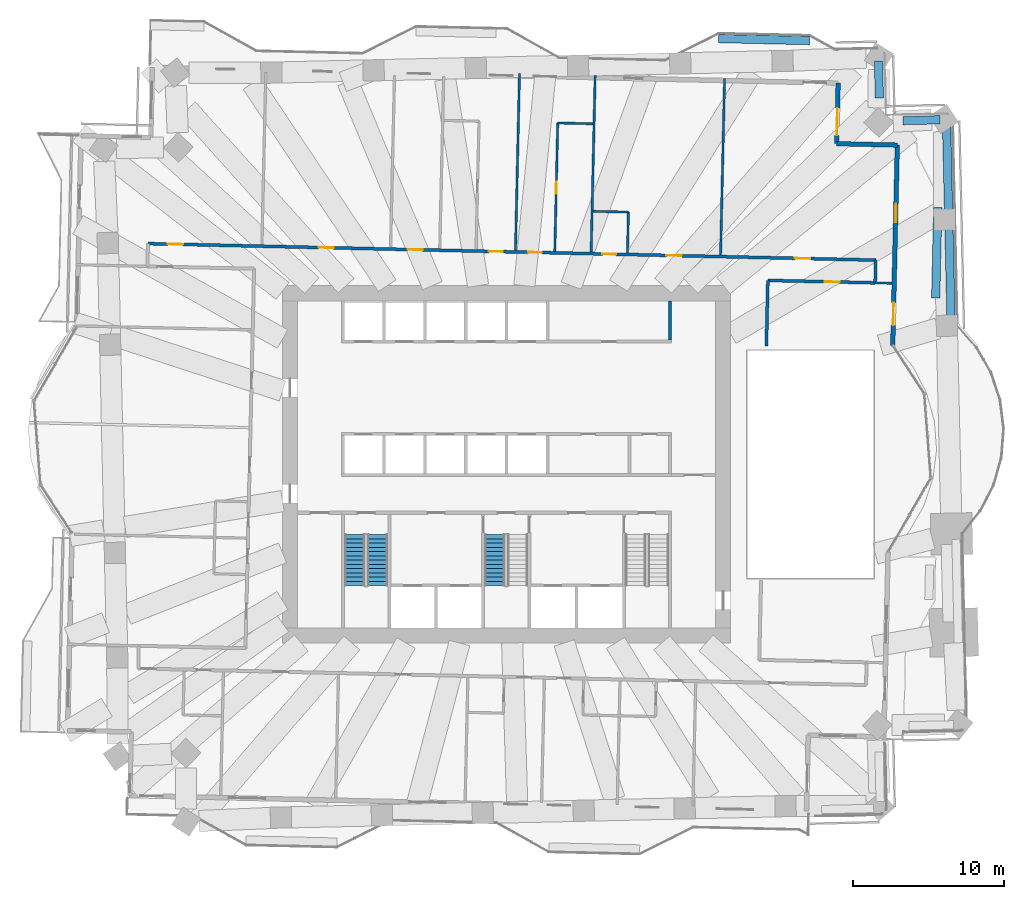
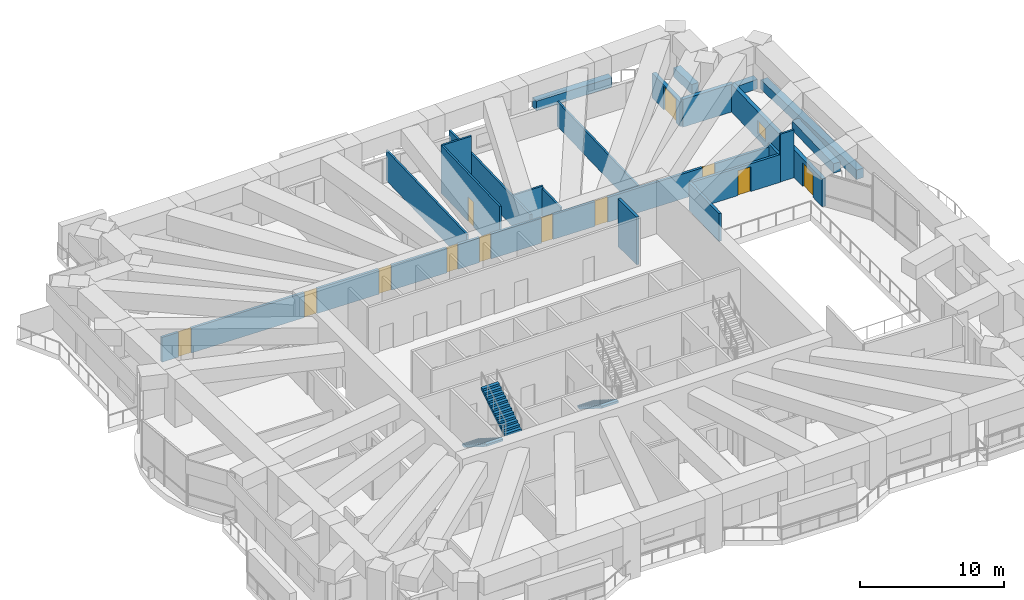
# One storey, part 14 of 20: 21 walls, 12 doors, 3 stair flights, 1 window, 13 openings, 2 elements without a shape of their own.
"""IFC4 building model written with IfcOpenShell, lengths in metres."""

from ifc_helpers import new_model, si_unit, direction, frame, frame_2d, origin, place, context, subcontext, project, spatial, polyline, rectangle, outline, extrude, material, layer, layer_set, type_object, element, fill, aggregate, save


model = new_model("IFC4")

# Units and contexts
model_context = context("Model", 3, precision=1e-05, world=origin(), true_north=direction((0.0, 1.0)))
body_context = subcontext(model_context, "Body", "Model", "MODEL_VIEW")
ifc_project = project(units=[si_unit("LENGTHUNIT", "METRE"), si_unit("AREAUNIT", "SQUARE_METRE"), si_unit("VOLUMEUNIT", "CUBIC_METRE"), si_unit("PLANEANGLEUNIT", "RADIAN"), si_unit("MASSUNIT", "GRAM", prefix="KILO")], contexts=[model_context])

# Site, building, storey
site_placement = place(None, origin())
site = spatial("IfcSite", under=ifc_project, at=site_placement, CompositionType="ELEMENT")
building_placement = place(site_placement, origin())
building = spatial("IfcBuilding", under=site, at=building_placement, Name="Mangrove Gate Tower", CompositionType="ELEMENT")
storey_placement = place(building_placement, frame((0.0, 0.0, 97.300048828125)))
storey = spatial("IfcBuildingStorey", under=building, at=storey_placement, Name="L24", CompositionType="ELEMENT", Elevation=97.300048828125)

# Walls
ifc_material_1 = material(Name="Concrete C32/40", Category="concrete")
ifc_layer_1 = layer(ifc_material_1, 0.199951171875)
ifc_layer_set_1 = layer_set([ifc_layer_1], Name="Core room wall 200 C32/40")
wall_type_1 = type_object("IfcWallType", Name="Core room wall 200 C32/40", PredefinedType="STANDARD", material=ifc_layer_set_1)
wall_1_placement = place(storey_placement, frame((10.800048828125, 8.199951171875, 0.0), z_axis=(0.0, 0.0, 1.0), x_axis=(0.0, 1.0, 0.0)))
element("IfcWall", 1, at=wall_1_placement, inside=storey, type_object=wall_type_1, Name="WALL-L24-CORE-33", PredefinedType="STANDARD", context=body_context, shape_type="SweptSolid", body=[
    extrude(rectangle(XDim=2.60009765625, YDim=0.199951171875, at=frame_2d((1.300048828125, 0.0))), origin(), (0.0, 0.0, 1.0), 4.050048828125),
])
ifc_material_2 = material(Name="Gypsum board on steel stud, EI 60", Category="steel")
ifc_layer_2 = layer(ifc_material_2, 0.199951171875)
ifc_layer_set_2 = layer_set([ifc_layer_2], Name="Corridor wall EI 60")
wall_type_2 = type_object("IfcWallType", Name="Corridor wall EI 60", PredefinedType="PARTITIONING", material=ifc_layer_set_2)
wall_2_placement = place(storey_placement, frame((17.155029296875, 7.81396484375, 0.0), z_axis=(0.0, 0.0, 1.0), x_axis=(0.022578158225, 0.999745080894, 0.0)))
element("IfcWall", 2, at=wall_2_placement, inside=storey, type_object=wall_type_2, Name="WALL-L24-028", PredefinedType="PARTITIONING", context=body_context, shape_type="SweptSolid", body=[
    extrude(rectangle(XDim=4.336181640625, YDim=0.199951171875, at=frame_2d((2.16796875, 0.0))), origin(), (0.0, 0.0, 1.0), 2.349853515625),
])

# Wall, opening, door
wall_3_placement = place(storey_placement, frame((17.248046875, 12.14501953125, 0.0), z_axis=(0.0, 0.0, 1.0), x_axis=(0.999742350192, -0.022698749566, 0.0)))
wall_3 = element("IfcWall", 3, at=wall_3_placement, inside=storey, type_object=wall_type_2, Name="WALL-L24-032", PredefinedType="PARTITIONING", context=body_context, shape_type="SweptSolid", body=[
    extrude(rectangle(XDim=7.0986328125, YDim=0.199951171875, at=frame_2d((3.54931640625, 0.0))), origin(), (0.0, 0.0, 1.0), 2.349853515625),
])
opening_1_placement = place(wall_3_placement, frame((3.75, 0.0, 0.0)))
opening_1 = element("IfcOpeningElement", 4, at=opening_1_placement, cuts=wall_3, Name="Opening AD", PredefinedType="OPENING", context=body_context, shape_type="SweptSolid", body=[
    extrude(rectangle(XDim=1.0, YDim=2.10009765625, at=frame_2d((0.5, 1.050048828125))), frame((0.0, 0.10986328125, 0.0), z_axis=(0.0, -1.0, 0.0), x_axis=(1.0, 0.0, 0.0)), (0.0, 0.0, 1.0), 0.219970703125),
])
ifc_material_3 = material(Name="Timber door leaf", Category="wood")
door_type_1 = type_object("IfcDoorType", Name="Amenity door 1000", OperationType="SINGLE_SWING_LEFT", PredefinedType="DOOR", material=ifc_material_3)
door_1_placement = place(opening_1_placement, origin())
door_1 = element("IfcDoor", 5, at=door_1_placement, inside=storey, type_object=door_type_1, Name="DOOR-L24-STU-c4a", OperationType="SINGLE_SWING_RIGHT", OverallHeight=2.10009765625, OverallWidth=1.0, PredefinedType="DOOR", context=body_context, shape_type="SweptSolid", body=[
    extrude(rectangle(XDim=1.0, YDim=2.10009765625, at=frame_2d((0.5, 1.050048828125))), frame((0.0, 0.02490234375, 0.0), z_axis=(0.0, -1.0, 0.0), x_axis=(1.0, 0.0, 0.0)), (0.0, 0.0, 1.0), 0.050048828125),
])
fill(opening_1, door_1)

# Wall
wall_4_placement = place(storey_placement, frame((24.341064453125, 11.988037109375, 0.0), z_axis=(0.0, 0.0, 1.0), x_axis=(0.022617910375, 0.999744182344, 0.0)))
element("IfcWall", 6, at=wall_4_placement, inside=storey, type_object=wall_type_2, Name="WALL-L24-035", PredefinedType="PARTITIONING", context=body_context, shape_type="SweptSolid", body=[
    extrude(rectangle(XDim=1.50048828125, YDim=0.199951171875, at=frame_2d((0.750244140625, 0.0))), origin(), (0.0, 0.0, 1.0), 2.349853515625),
])

# Wall, openings, doors
wall_5_placement = place(storey_placement, frame((-23.695068359375, 14.574951171875, 0.0), z_axis=(0.0, 0.0, 1.0), x_axis=(0.999742555853, -0.022689689667, 0.0)))
wall_5 = element("IfcWall", 7, at=wall_5_placement, inside=storey, type_object=wall_type_2, Name="WALL-L24-036", PredefinedType="PARTITIONING", context=body_context, shape_type="SweptSolid", body=[
    extrude(rectangle(XDim=48.08642578125, YDim=0.199951171875, at=frame_2d((24.043212890625, 0.0))), origin(), (0.0, 0.0, 1.0), 2.099853515625),
])
opening_2_placement = place(wall_5_placement, frame((42.7490234375, 0.0, 0.0)))
opening_2 = element("IfcOpeningElement", 8, at=opening_2_placement, cuts=wall_5, Name="Opening AD", PredefinedType="OPENING", context=body_context, shape_type="SweptSolid", body=[
    extrude(rectangle(XDim=1.0, YDim=2.10009765625, at=frame_2d((0.5, 1.050048828125))), frame((0.0, 0.10986328125, 0.0), z_axis=(0.0, -1.0, 0.0), x_axis=(1.0, 0.0, 0.0)), (0.0, 0.0, 1.0), 0.219970703125),
])
opening_3_placement = place(wall_5_placement, frame((34.25390625, 0.0, 0.0)))
opening_3 = element("IfcOpeningElement", 9, at=opening_3_placement, cuts=wall_5, Name="Opening AD", PredefinedType="OPENING", context=body_context, shape_type="SweptSolid", body=[
    extrude(rectangle(XDim=1.0, YDim=2.10009765625, at=frame_2d((0.5, 1.050048828125))), frame((0.0, 0.10986328125, 0.0), z_axis=(0.0, -1.0, 0.0), x_axis=(1.0, 0.0, 0.0)), (0.0, 0.0, 1.0), 0.219970703125),
])
opening_4_placement = place(wall_5_placement, frame((30.029052734375, 0.0, 0.0)))
opening_4 = element("IfcOpeningElement", 10, at=opening_4_placement, cuts=wall_5, Name="Opening SD", PredefinedType="OPENING", context=body_context, shape_type="SweptSolid", body=[
    extrude(rectangle(XDim=0.89990234375, YDim=2.10009765625, at=frame_2d((0.449951171875, 1.050048828125))), frame((0.0, 0.10986328125, 0.0), z_axis=(0.0, -1.0, 0.0), x_axis=(1.0, 0.0, 0.0)), (0.0, 0.0, 1.0), 0.219970703125),
])
opening_5_placement = place(wall_5_placement, frame((25.12890625, 0.0, 0.0)))
opening_5 = element("IfcOpeningElement", 11, at=opening_5_placement, cuts=wall_5, Name="Opening BD", PredefinedType="OPENING", context=body_context, shape_type="SweptSolid", body=[
    extrude(rectangle(XDim=0.89990234375, YDim=2.10009765625, at=frame_2d((0.449951171875, 1.050048828125))), frame((0.0, 0.10986328125, 0.0), z_axis=(0.0, -1.0, 0.0), x_axis=(1.0, 0.0, 0.0)), (0.0, 0.0, 1.0), 0.219970703125),
])
opening_6_placement = place(wall_5_placement, frame((22.529052734375, 0.0, 0.0)))
opening_6 = element("IfcOpeningElement", 12, at=opening_6_placement, cuts=wall_5, Name="Opening BD", PredefinedType="OPENING", context=body_context, shape_type="SweptSolid", body=[
    extrude(rectangle(XDim=0.89990234375, YDim=2.10009765625, at=frame_2d((0.449951171875, 1.050048828125))), frame((0.0, 0.10986328125, 0.0), z_axis=(0.0, -1.0, 0.0), x_axis=(1.0, 0.0, 0.0)), (0.0, 0.0, 1.0), 0.219970703125),
])
opening_7_placement = place(wall_5_placement, frame((17.154052734375, 0.0, 0.0)))
opening_7 = element("IfcOpeningElement", 13, at=opening_7_placement, cuts=wall_5, Name="Opening AD", PredefinedType="OPENING", context=body_context, shape_type="SweptSolid", body=[
    extrude(rectangle(XDim=1.0, YDim=2.10009765625, at=frame_2d((0.5, 1.050048828125))), frame((0.0, 0.10986328125, 0.0), z_axis=(0.0, -1.0, 0.0), x_axis=(1.0, 0.0, 0.0)), (0.0, 0.0, 1.0), 0.219970703125),
])
opening_8_placement = place(wall_5_placement, frame((11.279052734375, 0.0, 0.0)))
opening_8 = element("IfcOpeningElement", 14, at=opening_8_placement, cuts=wall_5, Name="Opening AD", PredefinedType="OPENING", context=body_context, shape_type="SweptSolid", body=[
    extrude(rectangle(XDim=1.0, YDim=2.10009765625, at=frame_2d((0.5, 1.050048828125))), frame((0.0, 0.10986328125, 0.0), z_axis=(0.0, -1.0, 0.0), x_axis=(1.0, 0.0, 0.0)), (0.0, 0.0, 1.0), 0.219970703125),
])
opening_9_placement = place(wall_5_placement, frame((1.321044921875, 0.0, 0.0)))
opening_9 = element("IfcOpeningElement", 15, at=opening_9_placement, cuts=wall_5, Name="Opening AD", PredefinedType="OPENING", context=body_context, shape_type="SweptSolid", body=[
    extrude(rectangle(XDim=1.0, YDim=2.10009765625, at=frame_2d((0.5, 1.050048828125))), frame((0.0, 0.10986328125, 0.0), z_axis=(0.0, -1.0, 0.0), x_axis=(1.0, 0.0, 0.0)), (0.0, 0.0, 1.0), 0.219970703125),
])
door_2_placement = place(opening_2_placement, origin())
door_2 = element("IfcDoor", 16, at=door_2_placement, inside=storey, type_object=door_type_1, Name="DOOR-L24-GAM-c4b", OperationType="SINGLE_SWING_LEFT", OverallHeight=2.10009765625, OverallWidth=1.0, PredefinedType="DOOR", context=body_context, shape_type="SweptSolid", body=[
    extrude(rectangle(XDim=1.0, YDim=2.10009765625, at=frame_2d((0.5, 1.050048828125))), frame((0.0, 0.02490234375, 0.0), z_axis=(0.0, -1.0, 0.0), x_axis=(1.0, 0.0, 0.0)), (0.0, 0.0, 1.0), 0.050048828125),
])
fill(opening_2, door_2)
door_3_placement = place(opening_3_placement, origin())
door_3 = element("IfcDoor", 17, at=door_3_placement, inside=storey, type_object=door_type_1, Name="DOOR-L24-LNG-c4b", OperationType="SINGLE_SWING_RIGHT", OverallHeight=2.10009765625, OverallWidth=1.0, PredefinedType="DOOR", context=body_context, shape_type="SweptSolid", body=[
    extrude(rectangle(XDim=1.0, YDim=2.10009765625, at=frame_2d((0.5, 1.050048828125))), frame((0.0, 0.02490234375, 0.0), z_axis=(0.0, -1.0, 0.0), x_axis=(1.0, 0.0, 0.0)), (0.0, 0.0, 1.0), 0.050048828125),
])
fill(opening_3, door_3)
door_4_placement = place(opening_7_placement, origin())
door_4 = element("IfcDoor", 18, at=door_4_placement, inside=storey, type_object=door_type_1, Name="DOOR-L24-STU-c5a", OperationType="SINGLE_SWING_LEFT", OverallHeight=2.10009765625, OverallWidth=1.0, PredefinedType="DOOR", context=body_context, shape_type="SweptSolid", body=[
    extrude(rectangle(XDim=1.0, YDim=2.10009765625, at=frame_2d((0.5, 1.050048828125))), frame((0.0, 0.02490234375, 0.0), z_axis=(0.0, -1.0, 0.0), x_axis=(1.0, 0.0, 0.0)), (0.0, 0.0, 1.0), 0.050048828125),
])
fill(opening_7, door_4)
door_5_placement = place(opening_8_placement, origin())
door_5 = element("IfcDoor", 19, at=door_5_placement, inside=storey, type_object=door_type_1, Name="DOOR-L24-LNG-c5a", OperationType="SINGLE_SWING_RIGHT", OverallHeight=2.10009765625, OverallWidth=1.0, PredefinedType="DOOR", context=body_context, shape_type="SweptSolid", body=[
    extrude(rectangle(XDim=1.0, YDim=2.10009765625, at=frame_2d((0.5, 1.050048828125))), frame((0.0, 0.02490234375, 0.0), z_axis=(0.0, -1.0, 0.0), x_axis=(1.0, 0.0, 0.0)), (0.0, 0.0, 1.0), 0.050048828125),
])
fill(opening_8, door_5)
door_6_placement = place(opening_9_placement, origin())
door_6 = element("IfcDoor", 20, at=door_6_placement, inside=storey, type_object=door_type_1, Name="DOOR-L24-GAM-c5a", OperationType="SINGLE_SWING_LEFT", OverallHeight=2.10009765625, OverallWidth=1.0, PredefinedType="DOOR", context=body_context, shape_type="SweptSolid", body=[
    extrude(rectangle(XDim=1.0, YDim=2.10009765625, at=frame_2d((0.5, 1.050048828125))), frame((0.0, 0.02490234375, 0.0), z_axis=(0.0, -1.0, 0.0), x_axis=(1.0, 0.0, 0.0)), (0.0, 0.0, 1.0), 0.050048828125),
])
fill(opening_9, door_6)
ifc_material_4 = material(Name="Timber door leaf", Category="wood")
door_type_2 = type_object("IfcDoorType", Name="Bedroom door 900", OperationType="SINGLE_SWING_LEFT", PredefinedType="DOOR", material=ifc_material_4)
door_7_placement = place(opening_5_placement, origin())
door_7 = element("IfcDoor", 21, at=door_7_placement, inside=storey, type_object=door_type_2, Name="DOOR-L24-BED-c404", OperationType="SINGLE_SWING_RIGHT", OverallHeight=2.10009765625, OverallWidth=0.89990234375, PredefinedType="DOOR", context=body_context, shape_type="SweptSolid", body=[
    extrude(rectangle(XDim=0.89990234375, YDim=2.10009765625, at=frame_2d((0.449951171875, 1.050048828125))), frame((0.0, 0.02490234375, 0.0), z_axis=(0.0, -1.0, 0.0), x_axis=(1.0, 0.0, 0.0)), (0.0, 0.0, 1.0), 0.050048828125),
])
fill(opening_5, door_7)
door_8_placement = place(opening_6_placement, origin())
door_8 = element("IfcDoor", 22, at=door_8_placement, inside=storey, type_object=door_type_2, Name="DOOR-L24-BED-c505", OperationType="SINGLE_SWING_LEFT", OverallHeight=2.10009765625, OverallWidth=0.89990234375, PredefinedType="DOOR", context=body_context, shape_type="SweptSolid", body=[
    extrude(rectangle(XDim=0.89990234375, YDim=2.10009765625, at=frame_2d((0.449951171875, 1.050048828125))), frame((0.0, 0.02490234375, 0.0), z_axis=(0.0, -1.0, 0.0), x_axis=(1.0, 0.0, 0.0)), (0.0, 0.0, 1.0), 0.050048828125),
])
fill(opening_6, door_8)
ifc_material_5 = material(Name="Timber door leaf", Category="wood")
door_type_3 = type_object("IfcDoorType", Name="Service room door 900", OperationType="SINGLE_SWING_LEFT", PredefinedType="DOOR", material=ifc_material_5)
door_9_placement = place(opening_4_placement, origin())
door_9 = element("IfcDoor", 23, at=door_9_placement, inside=storey, type_object=door_type_3, Name="DOOR-L24-WC-c4a", OperationType="SINGLE_SWING_RIGHT", OverallHeight=2.10009765625, OverallWidth=0.89990234375, PredefinedType="DOOR", context=body_context, shape_type="SweptSolid", body=[
    extrude(rectangle(XDim=0.89990234375, YDim=2.10009765625, at=frame_2d((0.449951171875, 1.050048828125))), frame((0.0, 0.02490234375, 0.0), z_axis=(0.0, -1.0, 0.0), x_axis=(1.0, 0.0, 0.0)), (0.0, 0.0, 1.0), 0.050048828125),
])
fill(opening_4, door_9)

# Wall, openings, door, window
ifc_material_6 = material(Name="Limestone", Category="masonry")
ifc_layer_3 = layer(ifc_material_6, 0.0400390625, Name="Limestone cladding")
ifc_material_7 = material(Name="Ventilated air gap")
ifc_layer_4 = layer(ifc_material_7, 0.0400390625, Name="Ventilated cavity")
ifc_material_8 = material(Name="Mineral wool insulation")
ifc_layer_5 = layer(ifc_material_8, 0.06005859375, Name="Insulation")
ifc_material_9 = material(Name="Breather membrane")
ifc_layer_6 = layer(ifc_material_9, 0.001953125, Name="Breather membrane")
ifc_material_10 = material(Name="Concrete C20/25 blockwork", Category="masonry")
ifc_layer_7 = layer(ifc_material_10, 0.14990234375, Name="Blockwork backing wall")
ifc_material_11 = material(Name="Gypsum plaster")
ifc_layer_8 = layer(ifc_material_11, 0.008056640625, Name="Internal plaster")
ifc_layer_set_3 = layer_set([ifc_layer_3, ifc_layer_4, ifc_layer_5, ifc_layer_6, ifc_layer_7, ifc_layer_8], Name="External wall 300 limestone cladding")
wall_type_3 = type_object("IfcWallType", Name="External wall 300 limestone cladding", PredefinedType="SOLIDWALL", material=ifc_layer_set_3)
wall_6_placement = place(storey_placement, frame((25.501953125, 7.85693359375, 0.0), z_axis=(0.0, 0.0, 1.0), x_axis=(0.022680323815, 0.999742768372, 0.0)))
wall_6 = element("IfcWall", 24, at=wall_6_placement, inside=storey, type_object=wall_type_3, Name="WALL-L24-E2", PredefinedType="SOLIDWALL", context=body_context, shape_type="SweptSolid", body=[
    extrude(rectangle(XDim=13.2294921875, YDim=0.300048828125, at=frame_2d((6.61474609375, 0.0))), origin(), (0.0, 0.0, 1.0), 2.349853515625),
])
opening_10_placement = place(wall_6_placement, frame((1.3291015625, 0.0, 0.0)))
opening_10 = element("IfcOpeningElement", 25, at=opening_10_placement, cuts=wall_6, Name="Opening BD3", PredefinedType="OPENING", context=body_context, shape_type="SweptSolid", body=[
    extrude(rectangle(XDim=1.5, YDim=2.0, at=frame_2d((0.75, 1.0))), frame((0.0, 0.159912109375, 0.0), z_axis=(0.0, -1.0, 0.0), x_axis=(1.0, 0.0, 0.0)), (0.0, 0.0, 1.0), 0.320068359375),
])
opening_11_placement = place(wall_6_placement, frame((8.14111328125, 0.0, 0.5)))
opening_11 = element("IfcOpeningElement", 26, at=opening_11_placement, cuts=wall_6, Name="Opening W6", PredefinedType="OPENING", context=body_context, shape_type="SweptSolid", body=[
    extrude(rectangle(XDim=1.199951171875, YDim=1.10009765625, at=frame_2d((0.60009765625, 0.550048828125))), frame((0.0, 0.159912109375, 0.0), z_axis=(0.0, -1.0, 0.0), x_axis=(1.0, 0.0, 0.0)), (0.0, 0.0, 1.0), 0.320068359375),
])
ifc_material_12 = material(Name="Aluminium frame with laminated clear glass", Category="aluminium")
door_type_4 = type_object("IfcDoorType", Name="Balcony sliding door 1500x2000", OperationType="SLIDING_TO_LEFT", PredefinedType="DOOR", material=ifc_material_12)
door_10_placement = place(opening_10_placement, origin())
door_10 = element("IfcDoor", 27, at=door_10_placement, inside=storey, type_object=door_type_4, Name="DOOR-L24-E2-1", OperationType="SLIDING_TO_LEFT", OverallHeight=2.0, OverallWidth=1.5, PredefinedType="DOOR", context=body_context, shape_type="SweptSolid", body=[
    extrude(rectangle(XDim=1.5, YDim=2.0, at=frame_2d((0.75, 1.0))), frame((0.0, 0.02490234375, 0.0), z_axis=(0.0, -1.0, 0.0), x_axis=(1.0, 0.0, 0.0)), (0.0, 0.0, 1.0), 0.050048828125),
])
fill(opening_10, door_10)
ifc_material_13 = material(Name="Aluminium frame with double-glazed low-e glass", Category="aluminium")
window_type = type_object("IfcWindowType", Name="Low window 1200x1100", PartitioningType="SINGLE_PANEL", PredefinedType="WINDOW", material=ifc_material_13)
window_placement = place(opening_11_placement, origin())
window = element("IfcWindow", 28, at=window_placement, inside=storey, type_object=window_type, Name="WIN-L24-E2-2", OverallHeight=1.10009765625, OverallWidth=1.199951171875, PartitioningType="SINGLE_PANEL", PredefinedType="WINDOW", context=body_context, shape_type="SweptSolid", body=[
    extrude(rectangle(XDim=1.199951171875, YDim=1.10009765625, at=frame_2d((0.60009765625, 0.550048828125))), frame((0.0, 0.030029296875, 0.0), z_axis=(0.0, -1.0, 0.0), x_axis=(1.0, 0.0, 0.0)), (0.0, 0.0, 1.0), 0.06005859375),
])
fill(opening_11, window)

# Wall
wall_7_placement = place(storey_placement, frame((25.802001953125, 21.0830078125, 0.0), z_axis=(0.0, 0.0, 1.0), x_axis=(-0.999740826251, 0.022765770952, 0.0)))
element("IfcWall", 29, at=wall_7_placement, inside=storey, type_object=wall_type_3, Name="WALL-L24-N3", PredefinedType="SOLIDWALL", context=body_context, shape_type="SweptSolid", body=[
    extrude(rectangle(XDim=4.0, YDim=0.300048828125, at=frame_2d((2.0, 0.0))), origin(), (0.0, 0.0, 1.0), 2.349853515625),
])

# Wall, opening, door
wall_8_placement = place(storey_placement, frame((21.802978515625, 21.174072265625, 0.0), z_axis=(0.0, 0.0, 1.0), x_axis=(0.022765770952, 0.999740826251, 0.0)))
wall_8 = element("IfcWall", 30, at=wall_8_placement, inside=storey, type_object=wall_type_3, Name="WALL-L24-E4", PredefinedType="SOLIDWALL", context=body_context, shape_type="SweptSolid", body=[
    extrude(rectangle(XDim=4.0, YDim=0.300048828125, at=frame_2d((2.0, 0.0))), origin(), (0.0, 0.0, 1.0), 2.099853515625),
])
opening_12_placement = place(wall_8_placement, frame((0.550048828125, 0.0, 0.0)))
opening_12 = element("IfcOpeningElement", 31, at=opening_12_placement, cuts=wall_8, Name="Opening TD2", PredefinedType="OPENING", context=body_context, shape_type="SweptSolid", body=[
    extrude(rectangle(XDim=1.800048828125, YDim=2.0, at=frame_2d((0.89990234375, 1.0))), frame((0.0, 0.159912109375, 0.0), z_axis=(0.0, -1.0, 0.0), x_axis=(1.0, 0.0, 0.0)), (0.0, 0.0, 1.0), 0.320068359375),
])
ifc_material_14 = material(Name="Aluminium frame with laminated clear glass", Category="aluminium")
door_type_5 = type_object("IfcDoorType", Name="Terrace door 1800x2000", OperationType="DOUBLE_DOOR_SINGLE_SWING", PredefinedType="DOOR", material=ifc_material_14)
door_11_placement = place(opening_12_placement, origin())
door_11 = element("IfcDoor", 32, at=door_11_placement, inside=storey, type_object=door_type_5, Name="DOOR-L24-E4-1", OperationType="DOUBLE_DOOR_SINGLE_SWING", OverallHeight=2.0, OverallWidth=1.800048828125, PredefinedType="DOOR", context=body_context, shape_type="SweptSolid", body=[
    extrude(rectangle(XDim=1.800048828125, YDim=2.0, at=frame_2d((0.89990234375, 1.0))), frame((0.0, 0.02490234375, 0.0), z_axis=(0.0, -1.0, 0.0), x_axis=(1.0, 0.0, 0.0)), (0.0, 0.0, 1.0), 0.050048828125),
])
fill(opening_12, door_11)

# Walls
ifc_material_15 = material(Name="Gypsum board on steel stud, EI 60", Category="steel")
ifc_layer_9 = layer(ifc_material_15, 0.14990234375)
ifc_layer_set_4 = layer_set([ifc_layer_9], Name="Party wall 150 EI 60")
wall_type_4 = type_object("IfcWallType", Name="Party wall 150 EI 60", PredefinedType="PARTITIONING", material=ifc_layer_set_4)
wall_9_placement = place(storey_placement, frame((24.344970703125, 11.98388671875, 0.0), z_axis=(0.0, 0.0, 1.0), x_axis=(0.9997438932, -0.022630687329, 0.0)))
element("IfcWall", 33, at=wall_9_placement, inside=storey, type_object=wall_type_4, Name="WALL-L24-033", PredefinedType="PARTITIONING", context=body_context, shape_type="SweptSolid", body=[
    extrude(rectangle(XDim=1.100341796875, YDim=0.14990234375, at=frame_2d((0.55029296875, 0.0))), origin(), (0.0, 0.0, 1.0), 4.050048828125),
])
wall_10_placement = place(storey_placement, frame((0.583984375, 14.1279296875, 0.0), z_axis=(0.0, 0.0, 1.0), x_axis=(0.022707631257, 0.999742148498, 0.0)))
element("IfcWall", 34, at=wall_10_placement, inside=storey, type_object=wall_type_4, Name="WALL-L24-041", PredefinedType="PARTITIONING", context=body_context, shape_type="SweptSolid", body=[
    extrude(rectangle(XDim=11.676025390625, YDim=0.14990234375, at=frame_2d((5.837890625, 0.0))), origin(), (0.0, 0.0, 1.0), 2.550048828125),
])

# Wall, opening, door
wall_11_placement = place(storey_placement, frame((3.18310546875, 14.069091796875, 0.0), z_axis=(0.0, 0.0, 1.0), x_axis=(0.022628541676, 0.999743941768, 0.0)))
wall_11 = element("IfcWall", 35, at=wall_11_placement, inside=storey, type_object=wall_type_4, Name="WALL-L24-042", PredefinedType="PARTITIONING", context=body_context, shape_type="SweptSolid", body=[
    extrude(rectangle(XDim=8.480224609375, YDim=0.14990234375, at=frame_2d((4.240234375, 0.0))), origin(), (0.0, 0.0, 1.0), 4.050048828125),
])
opening_13_placement = place(wall_11_placement, frame((3.7900390625, 0.0, 0.0)))
opening_13 = element("IfcOpeningElement", 36, at=opening_13_placement, cuts=wall_11, Name="Opening ED", PredefinedType="OPENING", context=body_context, shape_type="SweptSolid", body=[
    extrude(rectangle(XDim=0.800048828125, YDim=2.10009765625, at=frame_2d((0.39990234375, 1.050048828125))), frame((0.0, 0.0849609375, 0.0), z_axis=(0.0, -1.0, 0.0), x_axis=(1.0, 0.0, 0.0)), (0.0, 0.0, 1.0), 0.169921875),
])
ifc_material_16 = material(Name="Timber door leaf", Category="wood")
door_type_6 = type_object("IfcDoorType", Name="En-suite door 800", OperationType="SINGLE_SWING_LEFT", PredefinedType="DOOR", material=ifc_material_16)
door_12_placement = place(opening_13_placement, origin())
door_12 = element("IfcDoor", 37, at=door_12_placement, inside=storey, type_object=door_type_6, Name="DOOR-L24-ENS-c404", OperationType="SINGLE_SWING_RIGHT", OverallHeight=2.10009765625, OverallWidth=0.800048828125, PredefinedType="DOOR", context=body_context, shape_type="SweptSolid", body=[
    extrude(rectangle(XDim=0.800048828125, YDim=2.10009765625, at=frame_2d((0.39990234375, 1.050048828125))), frame((0.0, 0.02490234375, 0.0), z_axis=(0.0, -1.0, 0.0), x_axis=(1.0, 0.0, 0.0)), (0.0, 0.0, 1.0), 0.050048828125),
])
fill(opening_13, door_12)

# Walls
wall_12_placement = place(storey_placement, frame((5.58203125, 14.013916015625, 0.0), z_axis=(0.0, 0.0, 1.0), x_axis=(0.022686732602, 0.99974262296, 0.0)))
element("IfcWall", 38, at=wall_12_placement, inside=storey, type_object=wall_type_4, Name="WALL-L24-043", PredefinedType="PARTITIONING", context=body_context, shape_type="SweptSolid", body=[
    extrude(rectangle(XDim=11.676025390625, YDim=0.14990234375, at=frame_2d((5.837890625, 0.0))), origin(), (0.0, 0.0, 1.0), 2.550048828125),
])
wall_13_placement = place(storey_placement, frame((7.98193359375, 13.9599609375, 0.0), z_axis=(0.0, 0.0, 1.0), x_axis=(0.02260842146, 0.999744396973, 0.0)))
element("IfcWall", 39, at=wall_13_placement, inside=storey, type_object=wall_type_4, Name="WALL-L24-044", PredefinedType="PARTITIONING", context=body_context, shape_type="SweptSolid", body=[
    extrude(rectangle(XDim=2.69970703125, YDim=0.14990234375, at=frame_2d((1.349853515625, 0.0))), origin(), (0.0, 0.0, 1.0), 2.349853515625),
])
wall_14_placement = place(storey_placement, frame((14.1298828125, 13.820068359375, 0.0), z_axis=(0.0, 0.0, 1.0), x_axis=(0.022708105947, 0.999742137716, 0.0)))
element("IfcWall", 40, at=wall_14_placement, inside=storey, type_object=wall_type_4, Name="WALL-L24-045", PredefinedType="PARTITIONING", context=body_context, shape_type="SweptSolid", body=[
    extrude(rectangle(XDim=11.67578125, YDim=0.14990234375, at=frame_2d((5.837890625, 0.0))), origin(), (0.0, 0.0, 1.0), 2.099853515625),
])
wall_15_placement = place(storey_placement, frame((5.715087890625, 16.7080078125, 0.0), z_axis=(0.0, 0.0, 1.0), x_axis=(0.999740260747, -0.02279059109, 0.0)))
element("IfcWall", 41, at=wall_15_placement, inside=storey, type_object=wall_type_4, Name="WALL-L24-046", PredefinedType="PARTITIONING", context=body_context, shape_type="SweptSolid", body=[
    extrude(rectangle(XDim=2.324462890625, YDim=0.14990234375, at=frame_2d((1.162109375, 0.0))), origin(), (0.0, 0.0, 1.0), 2.550048828125),
])
wall_16_placement = place(storey_placement, frame((3.37109375, 22.54296875, 0.0), z_axis=(0.0, 0.0, 1.0), x_axis=(0.999740478815, -0.022781023197, 0.0)))
element("IfcWall", 42, at=wall_16_placement, inside=storey, type_object=wall_type_4, Name="WALL-L24-048", PredefinedType="PARTITIONING", context=body_context, shape_type="SweptSolid", body=[
    extrude(rectangle(XDim=2.325439453125, YDim=0.14990234375, at=frame_2d((1.16259765625, 0.0))), origin(), (0.0, 0.0, 1.0), 4.050048828125),
])
ifc_material_17 = material(Name="Concrete C32/40", Category="concrete")
ifc_layer_10 = layer(ifc_material_17, 0.199951171875, Name="Planter trough wall")
ifc_material_18 = material(Name="Bituminous waterproofing membrane")
ifc_layer_11 = layer(ifc_material_18, 0.0048828125, Name="Waterproofing")
ifc_material_19 = material(Name="Drainage board and gravel")
ifc_layer_12 = layer(ifc_material_19, 0.044921875, Name="Drainage layer")
ifc_material_20 = material(Name="Planting soil")
ifc_layer_13 = layer(ifc_material_20, 0.300048828125, Name="Growing medium")
ifc_layer_set_5 = layer_set([ifc_layer_10, ifc_layer_11, ifc_layer_12, ifc_layer_13], Name="Planter wall 550 C32/40")
wall_type_5 = type_object("IfcWallType", Name="Planter wall 550 C32/40", PredefinedType="USERDEFINED", material=ifc_layer_set_5)
for number, where, z_axis, x_axis, name in (
    (43, (28.337890625, 10.972900390625, 0.0), (0.0, 0.0, 1.0), (0.022706615587, 0.999742171567, 0.0), "PLANTER L24 E1.1"),
    (44, (14.0048828125, 28.117919921875, 0.0), (0.0, 0.0, 1.0), (0.999743094499, -0.022665943652, 0.0), "PLANTER L24 N0.1"),
):
    element("IfcWall", number, at=place(storey_placement, frame(where, z_axis=z_axis, x_axis=x_axis)), inside=storey, type_object=wall_type_5, Name=name, ObjectType="PLANTER", PredefinedType="USERDEFINED", context=body_context, shape_type="SweptSolid", body=[
        extrude(rectangle(XDim=5.99951171875, YDim=0.550048828125, at=frame_2d((2.999755859375, 0.0))), origin(), (0.0, 0.0, 1.0), 0.800048828125),
    ])
for number, where, z_axis, x_axis, name in (
    (45, (24.56005859375, 26.626953125, 0.0), (0.0, 0.0, 1.0), (0.022935259676, -0.999736952335, 0.0), "PLANTER L24 T1.1.6"),
    (46, (26.177001953125, 22.697998046875, 0.0), (0.0, 0.0, 1.0), (0.999746058046, 0.022534849034, 0.0), "PLANTER L24 T1.1.9"),
):
    element("IfcWall", number, at=place(storey_placement, frame(where, z_axis=z_axis, x_axis=x_axis)), inside=storey, type_object=wall_type_5, Name=name, ObjectType="PLANTER", PredefinedType="USERDEFINED", context=body_context, shape_type="SweptSolid", body=[
        extrude(rectangle(XDim=2.437744140625, YDim=0.550048828125, at=frame_2d((1.21875, 0.0))), origin(), (0.0, 0.0, 1.0), 0.800048828125),
    ])
wall_17_placement = place(storey_placement, frame((29.05908203125, 22.327880859375, 0.0), z_axis=(0.0, 0.0, 1.0), x_axis=(0.022714046837, -0.999742002757, 0.0)))
element("IfcWall", 47, at=wall_17_placement, inside=storey, type_object=wall_type_5, Name="PLANTER L24 T1.2.6", ObjectType="PLANTER", PredefinedType="USERDEFINED", context=body_context, shape_type="SweptSolid", body=[
    extrude(rectangle(XDim=12.812255859375, YDim=0.550048828125, at=frame_2d((6.40625, 0.0))), origin(), (0.0, 0.0, 1.0), 0.800048828125),
])

# Stair, stair flights
ifc_material_21 = material(Name="Concrete C40/50", Category="concrete")
stair_type = type_object("IfcStairType", Name="Core stair 1350", PredefinedType="HALF_TURN_STAIR", material=ifc_material_21)
stair_1_placement = place(storey_placement, origin())
stair_1 = element("IfcStair", 48, at=stair_1_placement, inside=storey, type_object=stair_type, Name="L24 Stair 1", PredefinedType="HALF_TURN_STAIR")
ifc_material_22 = material(Name="Concrete C40/50", Category="concrete")
stair_flight_type = type_object("IfcStairFlightType", Name="Core stair flight 1350", PredefinedType="STRAIGHT", material=ifc_material_22)
stair_flight_1_placement = place(storey_placement, frame((-10.02490234375, -4.64990234375, 0.0), z_axis=(0.0, 0.0, 1.0), x_axis=(0.0, -1.0, 0.0)))
stair_flight_1 = element("IfcStairFlight", 49, at=stair_flight_1_placement, type_object=stair_flight_type, Name="ST1 flight 1", NumberOfRisers=13, NumberOfTreads=12, PredefinedType="STRAIGHT", RiserHeight=0.176923077, TreadLength=0.28, context=body_context, shape_type="SweptSolid", body=[
    extrude(outline(polyline([(0.0, 0.0), (0.0, 0.177001953125), (0.280029296875, 0.177001953125), (0.280029296875, 0.353759765625), (0.56005859375, 0.353759765625), (0.56005859375, 0.53076171875), (0.840087890625, 0.53076171875), (0.840087890625, 0.707763671875), (1.1201171875, 0.707763671875), (1.1201171875, 0.884521484375), (1.39990234375, 0.884521484375), (1.39990234375, 1.0615234375), (1.679931640625, 1.0615234375), (1.679931640625, 1.238525390625), (1.9599609375, 1.238525390625), (1.9599609375, 1.415283203125), (2.239990234375, 1.415283203125), (2.239990234375, 1.59228515625), (2.52001953125, 1.59228515625), (2.52001953125, 1.769287109375), (2.800048828125, 1.769287109375), (2.800048828125, 1.946044921875), (3.080078125, 1.946044921875), (3.080078125, 2.123046875), (3.360107421875, 2.123046875), (3.360107421875, 2.300048828125), (3.360107421875, 1.94580078125), (0.280517578125, 0.0), (0.0, 0.0)])), frame((0.0, 0.675048828125, 0.0), z_axis=(0.0, -1.0, 0.0), x_axis=(1.0, 0.0, 0.0)), (0.0, 0.0, 1.0), 1.35009765625),
])
stair_flight_2_placement = place(storey_placement, frame((-8.52490234375, -8.010009765625, 2.300048828125), z_axis=(0.0, 0.0, 1.0), x_axis=(0.0, 1.0, 0.0)))
stair_flight_2 = element("IfcStairFlight", 50, at=stair_flight_2_placement, type_object=stair_flight_type, Name="ST1 flight 2", NumberOfRisers=13, NumberOfTreads=12, PredefinedType="STRAIGHT", RiserHeight=0.176923077, TreadLength=0.28, context=body_context, shape_type="SweptSolid", body=[
    extrude(outline(polyline([(0.0, 0.0), (0.0, 0.177001953125), (0.280029296875, 0.177001953125), (0.280029296875, 0.353759765625), (0.56005859375, 0.353759765625), (0.56005859375, 0.53076171875), (0.840087890625, 0.53076171875), (0.840087890625, 0.707763671875), (1.1201171875, 0.707763671875), (1.1201171875, 0.884521484375), (1.39990234375, 0.884521484375), (1.39990234375, 1.0615234375), (1.679931640625, 1.0615234375), (1.679931640625, 1.238525390625), (1.9599609375, 1.238525390625), (1.9599609375, 1.415283203125), (2.239990234375, 1.415283203125), (2.239990234375, 1.59228515625), (2.52001953125, 1.59228515625), (2.52001953125, 1.769287109375), (2.800048828125, 1.769287109375), (2.800048828125, 1.946044921875), (3.080078125, 1.946044921875), (3.080078125, 2.123046875), (3.360107421875, 2.123046875), (3.360107421875, 2.300048828125), (3.360107421875, 1.94580078125), (0.280517578125, 0.0), (0.0, 0.0)])), frame((0.0, 0.675048828125, 0.0), z_axis=(0.0, -1.0, 0.0), x_axis=(1.0, 0.0, 0.0)), (0.0, 0.0, 1.0), 1.35009765625),
])
aggregate(stair_1, [stair_flight_1, stair_flight_2])

# Stair, stair flight
stair_2_placement = place(storey_placement, origin())
stair_2 = element("IfcStair", 51, at=stair_2_placement, inside=storey, type_object=stair_type, Name="L24 Stair 2", PredefinedType="HALF_TURN_STAIR")
stair_flight_3_placement = place(storey_placement, frame((-0.77490234375, -4.64990234375, 0.0), z_axis=(0.0, 0.0, 1.0), x_axis=(0.0, -1.0, 0.0)))
stair_flight_3 = element("IfcStairFlight", 52, at=stair_flight_3_placement, type_object=stair_flight_type, Name="ST2 flight 1", NumberOfRisers=13, NumberOfTreads=12, PredefinedType="STRAIGHT", RiserHeight=0.176923077, TreadLength=0.28, context=body_context, shape_type="SweptSolid", body=[
    extrude(outline(polyline([(0.0, 0.0), (0.0, 0.177001953125), (0.280029296875, 0.177001953125), (0.280029296875, 0.353759765625), (0.56005859375, 0.353759765625), (0.56005859375, 0.53076171875), (0.840087890625, 0.53076171875), (0.840087890625, 0.707763671875), (1.1201171875, 0.707763671875), (1.1201171875, 0.884521484375), (1.39990234375, 0.884521484375), (1.39990234375, 1.0615234375), (1.679931640625, 1.0615234375), (1.679931640625, 1.238525390625), (1.9599609375, 1.238525390625), (1.9599609375, 1.415283203125), (2.239990234375, 1.415283203125), (2.239990234375, 1.59228515625), (2.52001953125, 1.59228515625), (2.52001953125, 1.769287109375), (2.800048828125, 1.769287109375), (2.800048828125, 1.946044921875), (3.080078125, 1.946044921875), (3.080078125, 2.123046875), (3.360107421875, 2.123046875), (3.360107421875, 2.300048828125), (3.360107421875, 1.94580078125), (0.280517578125, 0.0), (0.0, 0.0)])), frame((0.0, 0.675048828125, 0.0), z_axis=(0.0, -1.0, 0.0), x_axis=(1.0, 0.0, 0.0)), (0.0, 0.0, 1.0), 1.35009765625),
])
aggregate(stair_2, [stair_flight_3])

save(model, "model.ifc")
